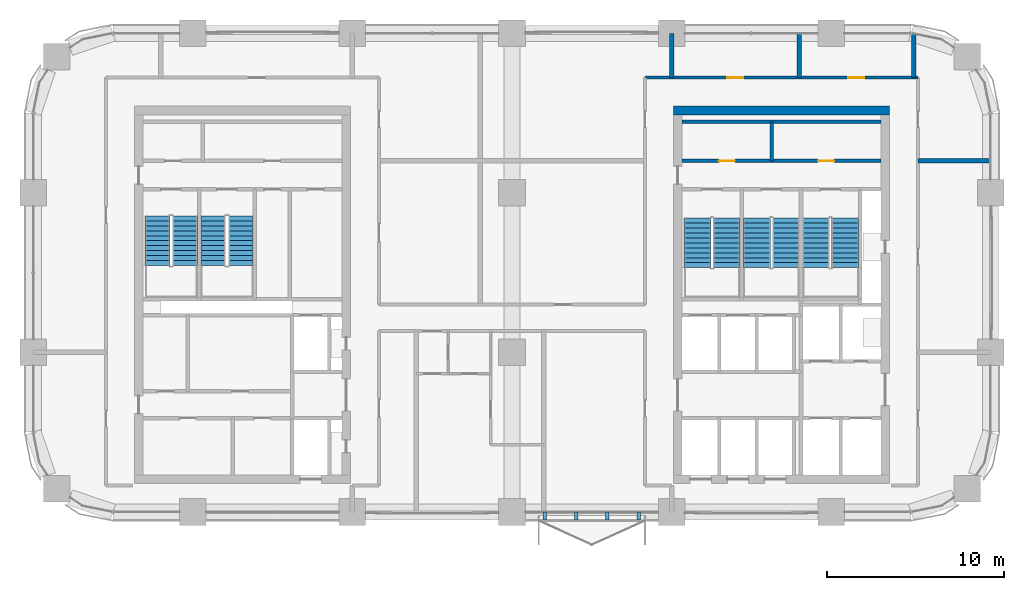
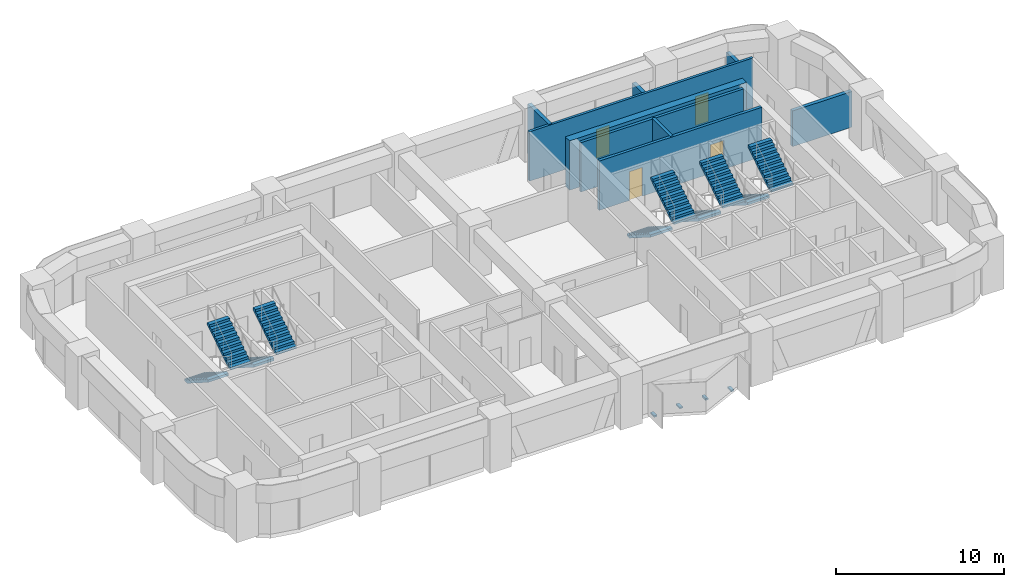
# One storey, part 12 of 14: 10 stair flights, 9 walls, 4 discrete accessories, 4 doors, 4 openings, 5 elements without a shape of their own.
"""IFC4 building model written with IfcOpenShell, lengths in metres."""

from ifc_helpers import new_model, si_unit, direction, frame, frame_2d, origin, origin_2d, place, context, subcontext, project, spatial, polyline, rectangle, outline, extrude, material, layer, layer_set, type_object, element, fill, aggregate, save


model = new_model("IFC4")

# Units and contexts
model_context = context("Model", 3, precision=1e-05, world=origin(), true_north=direction((0.0, 1.0)))
body_context = subcontext(model_context, "Body", "Model", "MODEL_VIEW")
ifc_project = project(units=[si_unit("LENGTHUNIT", "METRE"), si_unit("AREAUNIT", "SQUARE_METRE"), si_unit("VOLUMEUNIT", "CUBIC_METRE"), si_unit("PLANEANGLEUNIT", "RADIAN"), si_unit("MASSUNIT", "GRAM", prefix="KILO")], contexts=[model_context])

# Site, building, storey
site_placement = place(None, origin())
site = spatial("IfcSite", under=ifc_project, at=site_placement, CompositionType="ELEMENT")
building_placement = place(site_placement, origin())
building = spatial("IfcBuilding", under=site, at=building_placement, Name="Tessera Arch", CompositionType="ELEMENT")
storey_placement = place(building_placement, frame((0.0, 0.0, 146.60009765625)))
storey = spatial("IfcBuildingStorey", under=building, at=storey_placement, Name="L34", CompositionType="ELEMENT", Elevation=146.60009765625)

# Wall
ifc_material_1 = material(Name="Gypsum board on steel stud", Category="steel")
ifc_layer_1 = layer(ifc_material_1, 0.125)
ifc_layer_set_1 = layer_set([ifc_layer_1], Name="Core partition 125 EI 60")
wall_type_1 = type_object("IfcWallType", Name="Core partition 125 EI 60", PredefinedType="PARTITIONING", material=ifc_layer_set_1)
wall_1_placement = place(storey_placement, frame((41.639892578125, 46.800048828125, 0.0), z_axis=(0.0, 0.0, 1.0), x_axis=(0.0, 1.0, 0.0)))
element("IfcWall", 1, at=wall_1_placement, inside=storey, type_object=wall_type_1, Name="L34 C1 partition wall 7", PredefinedType="PARTITIONING", context=body_context, shape_type="SweptSolid", body=[
    extrude(rectangle(XDim=2.199951171875, YDim=0.199951171875, at=frame_2d((1.10009765625, 0.0))), origin(), (0.0, 0.0, 1.0), 3.599853515625),
])

# Wall, openings, doors
wall_2_placement = place(storey_placement, frame((36.60009765625, 46.800048828125, 0.0), z_axis=(0.0, 0.0, 1.0), x_axis=(1.0, 0.0, 0.0)))
wall_2 = element("IfcWall", 2, at=wall_2_placement, inside=storey, type_object=wall_type_1, Name="L34 C1 partition wall 31", PredefinedType="PARTITIONING", context=body_context, shape_type="SweptSolid", body=[
    extrude(rectangle(XDim=11.199951171875, YDim=0.199951171875, at=frame_2d((5.60009765625, 0.0))), origin(), (0.0, 0.0, 1.0), 3.599853515625),
])
opening_1_placement = place(wall_2_placement, frame((2.070068359375, 0.0, 0.0)))
opening_1 = element("IfcOpeningElement", 3, at=opening_1_placement, cuts=wall_2, Name="Opening L34-C18", PredefinedType="OPENING", context=body_context, shape_type="SweptSolid", body=[
    extrude(rectangle(XDim=0.89990234375, YDim=2.10009765625, at=frame_2d((0.449951171875, 1.050048828125))), frame((0.0, 0.10986328125, 0.0), z_axis=(0.0, -1.0, 0.0), x_axis=(1.0, 0.0, 0.0)), (0.0, 0.0, 1.0), 0.219970703125),
])
opening_2_placement = place(wall_2_placement, frame((7.669921875, 0.0, 0.0)))
opening_2 = element("IfcOpeningElement", 4, at=opening_2_placement, cuts=wall_2, Name="Opening L34-C19", PredefinedType="OPENING", context=body_context, shape_type="SweptSolid", body=[
    extrude(rectangle(XDim=0.89990234375, YDim=2.10009765625, at=frame_2d((0.449951171875, 1.050048828125))), frame((0.0, 0.10986328125, 0.0), z_axis=(0.0, -1.0, 0.0), x_axis=(1.0, 0.0, 0.0)), (0.0, 0.0, 1.0), 0.219970703125),
])
ifc_material_2 = material(Name="Steel door leaf", Category="steel")
door_type_1 = type_object("IfcDoorType", Name="Store door FD30S 900 x 2100", OperationType="SINGLE_SWING_LEFT", PredefinedType="DOOR", material=ifc_material_2)
door_1_placement = place(opening_1_placement, origin())
door_1 = element("IfcDoor", 5, at=door_1_placement, inside=storey, type_object=door_type_1, Name="L34 C1 door 18 C18 type D09", OperationType="SINGLE_SWING_LEFT", OverallHeight=2.10009765625, OverallWidth=0.89990234375, PredefinedType="DOOR", context=body_context, shape_type="SweptSolid", body=[
    extrude(rectangle(XDim=0.89990234375, YDim=2.10009765625, at=frame_2d((0.449951171875, 1.050048828125))), frame((0.0, 0.02490234375, 0.0), z_axis=(0.0, -1.0, 0.0), x_axis=(1.0, 0.0, 0.0)), (0.0, 0.0, 1.0), 0.050048828125),
])
fill(opening_1, door_1)
door_2_placement = place(opening_2_placement, origin())
door_2 = element("IfcDoor", 6, at=door_2_placement, inside=storey, type_object=door_type_1, Name="L34 C1 door 19 C19 type D09", OperationType="SINGLE_SWING_RIGHT", OverallHeight=2.10009765625, OverallWidth=0.89990234375, PredefinedType="DOOR", context=body_context, shape_type="SweptSolid", body=[
    extrude(rectangle(XDim=0.89990234375, YDim=2.10009765625, at=frame_2d((0.449951171875, 1.050048828125))), frame((0.0, 0.02490234375, 0.0), z_axis=(0.0, -1.0, 0.0), x_axis=(1.0, 0.0, 0.0)), (0.0, 0.0, 1.0), 0.050048828125),
])
fill(opening_2, door_2)

# Walls
wall_3_placement = place(storey_placement, frame((36.60009765625, 49.0, 0.0), z_axis=(0.0, 0.0, 1.0), x_axis=(1.0, 0.0, 0.0)))
element("IfcWall", 7, at=wall_3_placement, inside=storey, type_object=wall_type_1, Name="L34 C1 partition wall 32", PredefinedType="PARTITIONING", context=body_context, shape_type="SweptSolid", body=[
    extrude(rectangle(XDim=11.199951171875, YDim=0.199951171875, at=frame_2d((5.60009765625, 0.0))), origin(), (0.0, 0.0, 1.0), 3.599853515625),
])
ifc_material_3 = material(Name="Concrete C60/75", Category="concrete")
ifc_layer_2 = layer(ifc_material_3, 0.5)
ifc_layer_set_2 = layer_set([ifc_layer_2], Name="Core shell wall 500 C60-75")
wall_type_2 = type_object("IfcWallType", Name="Core shell wall 500 C60-75", PredefinedType="SHEAR", material=ifc_layer_set_2)
wall_4_placement = place(storey_placement, frame((36.10009765625, 49.64990234375, 0.0), z_axis=(0.0, 0.0, 1.0), x_axis=(1.0, 0.0, 0.0)))
element("IfcWall", 8, at=wall_4_placement, inside=storey, type_object=wall_type_2, Name="L34 C1 core wall N", PredefinedType="SHEAR", context=body_context, shape_type="SweptSolid", body=[
    extrude(rectangle(XDim=12.199951171875, YDim=0.5, at=frame_2d((6.10009765625, 0.0))), origin(), (0.0, 0.0, 1.0), 3.599853515625),
])

# Wall, openings, doors
ifc_material_4 = material(Name="Gypsum board on deep steel stud with mineral wool", Category="steel")
ifc_layer_3 = layer(ifc_material_4, 0.175048828125)
ifc_layer_set_3 = layer_set([ifc_layer_3], Name="Corridor wall 175 EI 60")
wall_type_3 = type_object("IfcWallType", Name="Corridor wall 175 EI 60", PredefinedType="PARTITIONING", material=ifc_layer_set_3)
wall_5_placement = place(storey_placement, frame((34.5, 51.5, 0.0), z_axis=(0.0, 0.0, 1.0), x_axis=(1.0, 0.0, 0.0)))
wall_5 = element("IfcWall", 9, at=wall_5_placement, inside=storey, type_object=wall_type_3, Name="L34 partition 8", PredefinedType="PARTITIONING", context=body_context, shape_type="SweptSolid", body=[
    extrude(rectangle(XDim=15.39990234375, YDim=0.175048828125, at=frame_2d((7.699951171875, 0.0))), origin(), (0.0, 0.0, 1.0), 3.599853515625),
])
opening_3_placement = place(wall_5_placement, frame((11.47900390625, 0.0, 0.0)))
opening_3 = element("IfcOpeningElement", 10, at=opening_3_placement, cuts=wall_5, Name="Opening L34-D017", PredefinedType="OPENING", context=body_context, shape_type="SweptSolid", body=[
    extrude(rectangle(XDim=0.89990234375, YDim=2.10009765625, at=frame_2d((0.449951171875, 1.050048828125))), frame((0.0, 0.097412109375, 0.0), z_axis=(0.0, -1.0, 0.0), x_axis=(1.0, 0.0, 0.0)), (0.0, 0.0, 1.0), 0.195068359375),
])
opening_4_placement = place(wall_5_placement, frame((4.64990234375, 0.0, 0.0)))
opening_4 = element("IfcOpeningElement", 11, at=opening_4_placement, cuts=wall_5, Name="Opening L34-D019", PredefinedType="OPENING", context=body_context, shape_type="SweptSolid", body=[
    extrude(rectangle(XDim=0.89990234375, YDim=2.10009765625, at=frame_2d((0.449951171875, 1.050048828125))), frame((0.0, 0.097412109375, 0.0), z_axis=(0.0, -1.0, 0.0), x_axis=(1.0, 0.0, 0.0)), (0.0, 0.0, 1.0), 0.195068359375),
])
ifc_material_5 = material(Name="Timber door leaf", Category="wood")
door_type_2 = type_object("IfcDoorType", Name="Room door 900 x 2100", OperationType="SINGLE_SWING_LEFT", PredefinedType="DOOR", material=ifc_material_5)
door_3_placement = place(opening_3_placement, origin())
door_3 = element("IfcDoor", 12, at=door_3_placement, inside=storey, type_object=door_type_2, Name="L34 door D017 type D01", OperationType="SINGLE_SWING_LEFT", OverallHeight=2.10009765625, OverallWidth=0.89990234375, PredefinedType="DOOR", context=body_context, shape_type="SweptSolid", body=[
    extrude(rectangle(XDim=0.89990234375, YDim=2.10009765625, at=frame_2d((0.449951171875, 1.050048828125))), frame((0.0, 0.02490234375, 0.0), z_axis=(0.0, -1.0, 0.0), x_axis=(1.0, 0.0, 0.0)), (0.0, 0.0, 1.0), 0.050048828125),
])
fill(opening_3, door_3)
door_4_placement = place(opening_4_placement, origin())
door_4 = element("IfcDoor", 13, at=door_4_placement, inside=storey, type_object=door_type_2, Name="L34 door D019 type D01", OperationType="SINGLE_SWING_LEFT", OverallHeight=2.10009765625, OverallWidth=0.89990234375, PredefinedType="DOOR", context=body_context, shape_type="SweptSolid", body=[
    extrude(rectangle(XDim=0.89990234375, YDim=2.10009765625, at=frame_2d((0.449951171875, 1.050048828125))), frame((0.0, 0.02490234375, 0.0), z_axis=(0.0, -1.0, 0.0), x_axis=(1.0, 0.0, 0.0)), (0.0, 0.0, 1.0), 0.050048828125),
])
fill(opening_4, door_4)

# Walls
ifc_material_6 = material(Name="Double gypsum board on twin steel stud with acoustic mineral wool", Category="steel")
ifc_layer_4 = layer(ifc_material_6, 0.25)
ifc_layer_set_4 = layer_set([ifc_layer_4], Name="Party wall 250 EI 60")
wall_type_4 = type_object("IfcWallType", Name="Party wall 250 EI 60", PredefinedType="PARTITIONING", material=ifc_layer_set_4)
wall_6_placement = place(storey_placement, frame((49.89990234375, 46.800048828125, 0.0), z_axis=(0.0, 0.0, 1.0), x_axis=(1.0, 0.0, 0.0)))
element("IfcWall", 14, at=wall_6_placement, inside=storey, type_object=wall_type_4, Name="L34 partition 21", PredefinedType="PARTITIONING", context=body_context, shape_type="SweptSolid", body=[
    extrude(rectangle(XDim=4.10009765625, YDim=0.25, at=frame_2d((2.050048828125, 0.0))), origin(), (0.0, 0.0, 1.0), 2.599853515625),
])
wall_7_placement = place(storey_placement, frame((36.0, 51.5, 0.0), z_axis=(0.0, 0.0, 1.0), x_axis=(0.0, 1.0, 0.0)))
element("IfcWall", 15, at=wall_7_placement, inside=storey, type_object=wall_type_4, Name="L34 partition 29", PredefinedType="PARTITIONING", context=body_context, shape_type="SweptSolid", body=[
    extrude(rectangle(XDim=2.5, YDim=0.25, at=frame_2d((1.25, 0.0))), origin(), (0.0, 0.0, 1.0), 3.599853515625),
])
wall_8_placement = place(storey_placement, frame((43.199951171875, 51.5, 0.0), z_axis=(0.0, 0.0, 1.0), x_axis=(0.0, 1.0, 0.0)))
element("IfcWall", 16, at=wall_8_placement, inside=storey, type_object=wall_type_4, Name="L34 partition 30", PredefinedType="PARTITIONING", context=body_context, shape_type="SweptSolid", body=[
    extrude(rectangle(XDim=2.5, YDim=0.25, at=frame_2d((1.25, 0.0))), origin(), (0.0, 0.0, 1.0), 2.599853515625),
])
wall_9_placement = place(storey_placement, frame((49.657958984375, 51.5, 0.0), z_axis=(0.0, 0.0, 1.0), x_axis=(0.0, 1.0, 0.0)))
element("IfcWall", 17, at=wall_9_placement, inside=storey, type_object=wall_type_4, Name="L34 partition 31", PredefinedType="PARTITIONING", context=body_context, shape_type="SweptSolid", body=[
    extrude(rectangle(XDim=2.468505859375, YDim=0.25, at=frame_2d((1.234375, 0.0))), origin(), (0.0, 0.0, 1.0), 2.599853515625),
])

# Stair, stair flights
ifc_material_7 = material(Name="Concrete C40/50", Category="concrete")
stair_type_1 = type_object("IfcStairType", Name="Dogleg stair 1400", PredefinedType="HALF_TURN_STAIR", material=ifc_material_7)
stair_1_placement = place(storey_placement, origin())
stair_1 = element("IfcStair", 18, at=stair_1_placement, inside=storey, type_object=stair_type_1, Name="L34 S2a", PredefinedType="HALF_TURN_STAIR")
ifc_material_8 = material(Name="Concrete C40/50", Category="concrete")
stair_flight_type_1 = type_object("IfcStairFlightType", Name="Stair flight 1400", PredefinedType="STRAIGHT", material=ifc_material_8)
stair_flight_1_placement = place(storey_placement, frame((7.0, 43.699951171875, 0.0), z_axis=(0.0, 0.0, 1.0), x_axis=(0.0, -1.0, 0.0)))
stair_flight_1 = element("IfcStairFlight", 19, at=stair_flight_1_placement, type_object=stair_flight_type_1, Name="S2a flight 1", NumberOfRisers=11, NumberOfTreads=10, PredefinedType="STRAIGHT", RiserHeight=0.177272727, TreadLength=0.28, context=body_context, shape_type="SweptSolid", body=[
    extrude(outline(polyline([(0.0, 0.0), (0.0, 0.17724609375), (0.280029296875, 0.17724609375), (0.280029296875, 0.3544921875), (0.56005859375, 0.3544921875), (0.56005859375, 0.53173828125), (0.840087890625, 0.53173828125), (0.840087890625, 0.708984375), (1.1201171875, 0.708984375), (1.1201171875, 0.886474609375), (1.39990234375, 0.886474609375), (1.39990234375, 1.063720703125), (1.679931640625, 1.063720703125), (1.679931640625, 1.240966796875), (1.9599609375, 1.240966796875), (1.9599609375, 1.418212890625), (2.239990234375, 1.418212890625), (2.239990234375, 1.595458984375), (2.52001953125, 1.595458984375), (2.52001953125, 1.772705078125), (2.800048828125, 1.772705078125), (2.800048828125, 1.949951171875), (2.800048828125, 1.59521484375), (0.2802734375, 0.0), (0.0, 0.0)])), frame((0.0, 0.699951171875, 0.0), z_axis=(0.0, -1.0, 0.0), x_axis=(1.0, 0.0, 0.0)), (0.0, 0.0, 1.0), 1.39990234375),
])
stair_flight_2_placement = place(storey_placement, frame((8.550048828125, 40.89990234375, 1.949951171875), z_axis=(0.0, 0.0, 1.0), x_axis=(0.0, 1.0, 0.0)))
stair_flight_2 = element("IfcStairFlight", 20, at=stair_flight_2_placement, type_object=stair_flight_type_1, Name="S2a flight 2", NumberOfRisers=11, NumberOfTreads=10, PredefinedType="STRAIGHT", RiserHeight=0.177272727, TreadLength=0.28, context=body_context, shape_type="SweptSolid", body=[
    extrude(outline(polyline([(0.0, 0.0), (0.0, 0.17724609375), (0.280029296875, 0.17724609375), (0.280029296875, 0.3544921875), (0.56005859375, 0.3544921875), (0.56005859375, 0.53173828125), (0.840087890625, 0.53173828125), (0.840087890625, 0.708984375), (1.1201171875, 0.708984375), (1.1201171875, 0.886474609375), (1.39990234375, 0.886474609375), (1.39990234375, 1.063720703125), (1.679931640625, 1.063720703125), (1.679931640625, 1.240966796875), (1.9599609375, 1.240966796875), (1.9599609375, 1.418212890625), (2.239990234375, 1.418212890625), (2.239990234375, 1.595458984375), (2.52001953125, 1.595458984375), (2.52001953125, 1.772705078125), (2.800048828125, 1.772705078125), (2.800048828125, 1.949951171875), (2.800048828125, 1.59521484375), (0.2802734375, 0.0), (0.0, 0.0)])), frame((0.0, 0.699951171875, 0.0), z_axis=(0.0, -1.0, 0.0), x_axis=(1.0, 0.0, 0.0)), (0.0, 0.0, 1.0), 1.39990234375),
])
aggregate(stair_1, [stair_flight_1, stair_flight_2])

stair_2_placement = place(storey_placement, origin())
stair_2 = element("IfcStair", 21, at=stair_2_placement, inside=storey, type_object=stair_type_1, Name="L34 S2b", PredefinedType="HALF_TURN_STAIR")
stair_flight_3_placement = place(storey_placement, frame((10.14990234375, 43.699951171875, 0.0), z_axis=(0.0, 0.0, 1.0), x_axis=(0.0, -1.0, 0.0)))
stair_flight_3 = element("IfcStairFlight", 22, at=stair_flight_3_placement, type_object=stair_flight_type_1, Name="S2b flight 1", NumberOfRisers=11, NumberOfTreads=10, PredefinedType="STRAIGHT", RiserHeight=0.177272727, TreadLength=0.28, context=body_context, shape_type="SweptSolid", body=[
    extrude(outline(polyline([(0.0, 0.0), (0.0, 0.17724609375), (0.280029296875, 0.17724609375), (0.280029296875, 0.3544921875), (0.56005859375, 0.3544921875), (0.56005859375, 0.53173828125), (0.840087890625, 0.53173828125), (0.840087890625, 0.708984375), (1.1201171875, 0.708984375), (1.1201171875, 0.886474609375), (1.39990234375, 0.886474609375), (1.39990234375, 1.063720703125), (1.679931640625, 1.063720703125), (1.679931640625, 1.240966796875), (1.9599609375, 1.240966796875), (1.9599609375, 1.418212890625), (2.239990234375, 1.418212890625), (2.239990234375, 1.595458984375), (2.52001953125, 1.595458984375), (2.52001953125, 1.772705078125), (2.800048828125, 1.772705078125), (2.800048828125, 1.949951171875), (2.800048828125, 1.59521484375), (0.2802734375, 0.0), (0.0, 0.0)])), frame((0.0, 0.699951171875, 0.0), z_axis=(0.0, -1.0, 0.0), x_axis=(1.0, 0.0, 0.0)), (0.0, 0.0, 1.0), 1.39990234375),
])
stair_flight_4_placement = place(storey_placement, frame((11.699951171875, 40.89990234375, 1.949951171875), z_axis=(0.0, 0.0, 1.0), x_axis=(0.0, 1.0, 0.0)))
stair_flight_4 = element("IfcStairFlight", 23, at=stair_flight_4_placement, type_object=stair_flight_type_1, Name="S2b flight 2", NumberOfRisers=11, NumberOfTreads=10, PredefinedType="STRAIGHT", RiserHeight=0.177272727, TreadLength=0.28, context=body_context, shape_type="SweptSolid", body=[
    extrude(outline(polyline([(0.0, 0.0), (0.0, 0.17724609375), (0.280029296875, 0.17724609375), (0.280029296875, 0.3544921875), (0.56005859375, 0.3544921875), (0.56005859375, 0.53173828125), (0.840087890625, 0.53173828125), (0.840087890625, 0.708984375), (1.1201171875, 0.708984375), (1.1201171875, 0.886474609375), (1.39990234375, 0.886474609375), (1.39990234375, 1.063720703125), (1.679931640625, 1.063720703125), (1.679931640625, 1.240966796875), (1.9599609375, 1.240966796875), (1.9599609375, 1.418212890625), (2.239990234375, 1.418212890625), (2.239990234375, 1.595458984375), (2.52001953125, 1.595458984375), (2.52001953125, 1.772705078125), (2.800048828125, 1.772705078125), (2.800048828125, 1.949951171875), (2.800048828125, 1.59521484375), (0.2802734375, 0.0), (0.0, 0.0)])), frame((0.0, 0.699951171875, 0.0), z_axis=(0.0, -1.0, 0.0), x_axis=(1.0, 0.0, 0.0)), (0.0, 0.0, 1.0), 1.39990234375),
])
aggregate(stair_2, [stair_flight_3, stair_flight_4])

ifc_material_9 = material(Name="Concrete C40/50", Category="concrete")
stair_type_2 = type_object("IfcStairType", Name="Dogleg stair 1520", PredefinedType="HALF_TURN_STAIR", material=ifc_material_9)
stair_3_placement = place(storey_placement, origin())
stair_3 = element("IfcStair", 24, at=stair_3_placement, inside=storey, type_object=stair_type_2, Name="L34 S1a", PredefinedType="HALF_TURN_STAIR")
ifc_material_10 = material(Name="Concrete C40/50", Category="concrete")
stair_flight_type_2 = type_object("IfcStairFlightType", Name="Stair flight 1520", PredefinedType="STRAIGHT", material=ifc_material_10)
stair_flight_5_placement = place(storey_placement, frame((37.4599609375, 43.580078125, 0.0), z_axis=(0.0, 0.0, 1.0), x_axis=(0.0, -1.0, 0.0)))
stair_flight_5 = element("IfcStairFlight", 25, at=stair_flight_5_placement, type_object=stair_flight_type_2, Name="S1a flight 1", NumberOfRisers=11, NumberOfTreads=10, PredefinedType="STRAIGHT", RiserHeight=0.177272727, TreadLength=0.28, context=body_context, shape_type="SweptSolid", body=[
    extrude(outline(polyline([(0.0, 0.0), (0.0, 0.17724609375), (0.280029296875, 0.17724609375), (0.280029296875, 0.3544921875), (0.56005859375, 0.3544921875), (0.56005859375, 0.53173828125), (0.840087890625, 0.53173828125), (0.840087890625, 0.708984375), (1.1201171875, 0.708984375), (1.1201171875, 0.886474609375), (1.39990234375, 0.886474609375), (1.39990234375, 1.063720703125), (1.679931640625, 1.063720703125), (1.679931640625, 1.240966796875), (1.9599609375, 1.240966796875), (1.9599609375, 1.418212890625), (2.239990234375, 1.418212890625), (2.239990234375, 1.595458984375), (2.52001953125, 1.595458984375), (2.52001953125, 1.772705078125), (2.800048828125, 1.772705078125), (2.800048828125, 1.949951171875), (2.800048828125, 1.59521484375), (0.2802734375, 0.0), (0.0, 0.0)])), frame((0.0, 0.760009765625, 0.0), z_axis=(0.0, -1.0, 0.0), x_axis=(1.0, 0.0, 0.0)), (0.0, 0.0, 1.0), 1.52001953125),
])
stair_flight_6_placement = place(storey_placement, frame((39.090087890625, 40.780029296875, 1.949951171875), z_axis=(0.0, 0.0, 1.0), x_axis=(0.0, 1.0, 0.0)))
stair_flight_6 = element("IfcStairFlight", 26, at=stair_flight_6_placement, type_object=stair_flight_type_2, Name="S1a flight 2", NumberOfRisers=11, NumberOfTreads=10, PredefinedType="STRAIGHT", RiserHeight=0.177272727, TreadLength=0.28, context=body_context, shape_type="SweptSolid", body=[
    extrude(outline(polyline([(0.0, 0.0), (0.0, 0.17724609375), (0.280029296875, 0.17724609375), (0.280029296875, 0.3544921875), (0.56005859375, 0.3544921875), (0.56005859375, 0.53173828125), (0.840087890625, 0.53173828125), (0.840087890625, 0.708984375), (1.1201171875, 0.708984375), (1.1201171875, 0.886474609375), (1.39990234375, 0.886474609375), (1.39990234375, 1.063720703125), (1.679931640625, 1.063720703125), (1.679931640625, 1.240966796875), (1.9599609375, 1.240966796875), (1.9599609375, 1.418212890625), (2.239990234375, 1.418212890625), (2.239990234375, 1.595458984375), (2.52001953125, 1.595458984375), (2.52001953125, 1.772705078125), (2.800048828125, 1.772705078125), (2.800048828125, 1.949951171875), (2.800048828125, 1.59521484375), (0.2802734375, 0.0), (0.0, 0.0)])), frame((0.0, 0.760009765625, 0.0), z_axis=(0.0, -1.0, 0.0), x_axis=(1.0, 0.0, 0.0)), (0.0, 0.0, 1.0), 1.52001953125),
])
aggregate(stair_3, [stair_flight_5, stair_flight_6])

stair_4_placement = place(storey_placement, origin())
stair_4 = element("IfcStair", 27, at=stair_4_placement, inside=storey, type_object=stair_type_2, Name="L34 S1b", PredefinedType="HALF_TURN_STAIR")
stair_flight_7_placement = place(storey_placement, frame((40.81005859375, 43.580078125, 0.0), z_axis=(0.0, 0.0, 1.0), x_axis=(0.0, -1.0, 0.0)))
stair_flight_7 = element("IfcStairFlight", 28, at=stair_flight_7_placement, type_object=stair_flight_type_2, Name="S1b flight 1", NumberOfRisers=11, NumberOfTreads=10, PredefinedType="STRAIGHT", RiserHeight=0.177272727, TreadLength=0.28, context=body_context, shape_type="SweptSolid", body=[
    extrude(outline(polyline([(0.0, 0.0), (0.0, 0.17724609375), (0.280029296875, 0.17724609375), (0.280029296875, 0.3544921875), (0.56005859375, 0.3544921875), (0.56005859375, 0.53173828125), (0.840087890625, 0.53173828125), (0.840087890625, 0.708984375), (1.1201171875, 0.708984375), (1.1201171875, 0.886474609375), (1.39990234375, 0.886474609375), (1.39990234375, 1.063720703125), (1.679931640625, 1.063720703125), (1.679931640625, 1.240966796875), (1.9599609375, 1.240966796875), (1.9599609375, 1.418212890625), (2.239990234375, 1.418212890625), (2.239990234375, 1.595458984375), (2.52001953125, 1.595458984375), (2.52001953125, 1.772705078125), (2.800048828125, 1.772705078125), (2.800048828125, 1.949951171875), (2.800048828125, 1.59521484375), (0.2802734375, 0.0), (0.0, 0.0)])), frame((0.0, 0.760009765625, 0.0), z_axis=(0.0, -1.0, 0.0), x_axis=(1.0, 0.0, 0.0)), (0.0, 0.0, 1.0), 1.52001953125),
])
stair_flight_8_placement = place(storey_placement, frame((42.43994140625, 40.780029296875, 1.949951171875), z_axis=(0.0, 0.0, 1.0), x_axis=(0.0, 1.0, 0.0)))
stair_flight_8 = element("IfcStairFlight", 29, at=stair_flight_8_placement, type_object=stair_flight_type_2, Name="S1b flight 2", NumberOfRisers=11, NumberOfTreads=10, PredefinedType="STRAIGHT", RiserHeight=0.177272727, TreadLength=0.28, context=body_context, shape_type="SweptSolid", body=[
    extrude(outline(polyline([(0.0, 0.0), (0.0, 0.17724609375), (0.280029296875, 0.17724609375), (0.280029296875, 0.3544921875), (0.56005859375, 0.3544921875), (0.56005859375, 0.53173828125), (0.840087890625, 0.53173828125), (0.840087890625, 0.708984375), (1.1201171875, 0.708984375), (1.1201171875, 0.886474609375), (1.39990234375, 0.886474609375), (1.39990234375, 1.063720703125), (1.679931640625, 1.063720703125), (1.679931640625, 1.240966796875), (1.9599609375, 1.240966796875), (1.9599609375, 1.418212890625), (2.239990234375, 1.418212890625), (2.239990234375, 1.595458984375), (2.52001953125, 1.595458984375), (2.52001953125, 1.772705078125), (2.800048828125, 1.772705078125), (2.800048828125, 1.949951171875), (2.800048828125, 1.59521484375), (0.2802734375, 0.0), (0.0, 0.0)])), frame((0.0, 0.760009765625, 0.0), z_axis=(0.0, -1.0, 0.0), x_axis=(1.0, 0.0, 0.0)), (0.0, 0.0, 1.0), 1.52001953125),
])
aggregate(stair_4, [stair_flight_7, stair_flight_8])

stair_5_placement = place(storey_placement, origin())
stair_5 = element("IfcStair", 30, at=stair_5_placement, inside=storey, type_object=stair_type_2, Name="L34 S1c", PredefinedType="HALF_TURN_STAIR")
stair_flight_9_placement = place(storey_placement, frame((44.159912109375, 43.580078125, 0.0), z_axis=(0.0, 0.0, 1.0), x_axis=(0.0, -1.0, 0.0)))
stair_flight_9 = element("IfcStairFlight", 31, at=stair_flight_9_placement, type_object=stair_flight_type_2, Name="S1c flight 1", NumberOfRisers=11, NumberOfTreads=10, PredefinedType="STRAIGHT", RiserHeight=0.177272727, TreadLength=0.28, context=body_context, shape_type="SweptSolid", body=[
    extrude(outline(polyline([(0.0, 0.0), (0.0, 0.17724609375), (0.280029296875, 0.17724609375), (0.280029296875, 0.3544921875), (0.56005859375, 0.3544921875), (0.56005859375, 0.53173828125), (0.840087890625, 0.53173828125), (0.840087890625, 0.708984375), (1.1201171875, 0.708984375), (1.1201171875, 0.886474609375), (1.39990234375, 0.886474609375), (1.39990234375, 1.063720703125), (1.679931640625, 1.063720703125), (1.679931640625, 1.240966796875), (1.9599609375, 1.240966796875), (1.9599609375, 1.418212890625), (2.239990234375, 1.418212890625), (2.239990234375, 1.595458984375), (2.52001953125, 1.595458984375), (2.52001953125, 1.772705078125), (2.800048828125, 1.772705078125), (2.800048828125, 1.949951171875), (2.800048828125, 1.59521484375), (0.2802734375, 0.0), (0.0, 0.0)])), frame((0.0, 0.760009765625, 0.0), z_axis=(0.0, -1.0, 0.0), x_axis=(1.0, 0.0, 0.0)), (0.0, 0.0, 1.0), 1.52001953125),
])
stair_flight_10_placement = place(storey_placement, frame((45.7900390625, 40.780029296875, 1.949951171875), z_axis=(0.0, 0.0, 1.0), x_axis=(0.0, 1.0, 0.0)))
stair_flight_10 = element("IfcStairFlight", 32, at=stair_flight_10_placement, type_object=stair_flight_type_2, Name="S1c flight 2", NumberOfRisers=11, NumberOfTreads=10, PredefinedType="STRAIGHT", RiserHeight=0.177272727, TreadLength=0.28, context=body_context, shape_type="SweptSolid", body=[
    extrude(outline(polyline([(0.0, 0.0), (0.0, 0.17724609375), (0.280029296875, 0.17724609375), (0.280029296875, 0.3544921875), (0.56005859375, 0.3544921875), (0.56005859375, 0.53173828125), (0.840087890625, 0.53173828125), (0.840087890625, 0.708984375), (1.1201171875, 0.708984375), (1.1201171875, 0.886474609375), (1.39990234375, 0.886474609375), (1.39990234375, 1.063720703125), (1.679931640625, 1.063720703125), (1.679931640625, 1.240966796875), (1.9599609375, 1.240966796875), (1.9599609375, 1.418212890625), (2.239990234375, 1.418212890625), (2.239990234375, 1.595458984375), (2.52001953125, 1.595458984375), (2.52001953125, 1.772705078125), (2.800048828125, 1.772705078125), (2.800048828125, 1.949951171875), (2.800048828125, 1.59521484375), (0.2802734375, 0.0), (0.0, 0.0)])), frame((0.0, 0.760009765625, 0.0), z_axis=(0.0, -1.0, 0.0), x_axis=(1.0, 0.0, 0.0)), (0.0, 0.0, 1.0), 1.52001953125),
])
aggregate(stair_5, [stair_flight_9, stair_flight_10])

# Discrete accessories
for number, where, z_axis, x_axis, name in (
    (33, (28.85009765625, 26.780029296875, -0.1201171875), (0.0, 0.0, 1.0), (0.0, -1.0, 0.0), "Window box bracket"),
    (34, (30.61669921875, 26.780029296875, -0.1201171875), (0.0, 0.0, 1.0), (0.0, -1.0, 0.0), "Window box bracket"),
    (35, (32.38330078125, 26.780029296875, -0.1201171875), (0.0, 0.0, 1.0), (0.0, -1.0, 0.0), "Window box bracket"),
    (36, (34.14990234375, 26.780029296875, -0.1201171875), (0.0, 0.0, 1.0), (0.0, -1.0, 0.0), "Window box bracket"),
):
    element("IfcDiscreteAccessory", number, at=place(storey_placement, frame(where, z_axis=z_axis, x_axis=x_axis)), inside=storey, Name=name, PredefinedType="BRACKET", context=body_context, shape_type="SweptSolid", body=[
        extrude(rectangle(XDim=0.43994140625, YDim=0.199951171875, at=origin_2d()), origin(), (0.0, 0.0, 1.0), 0.1201171875),
    ])

save(model, "model.ifc")
